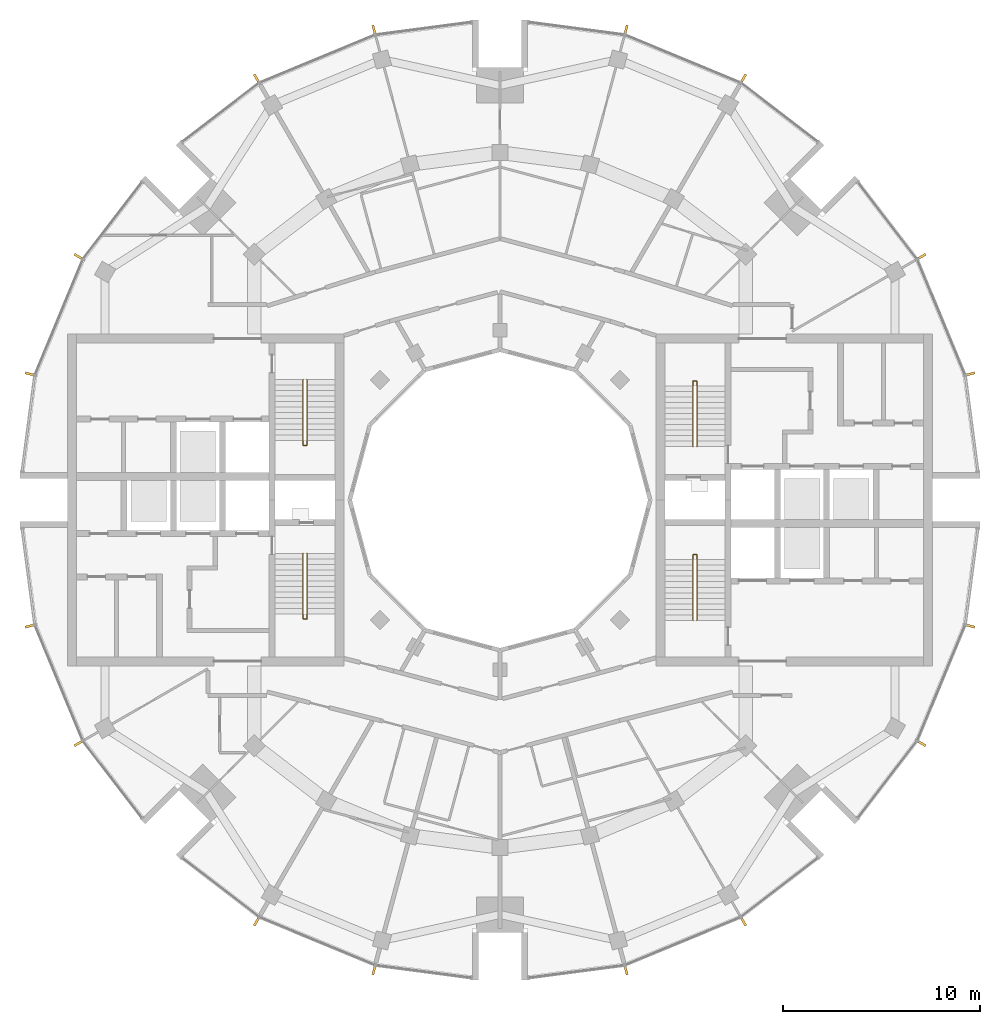
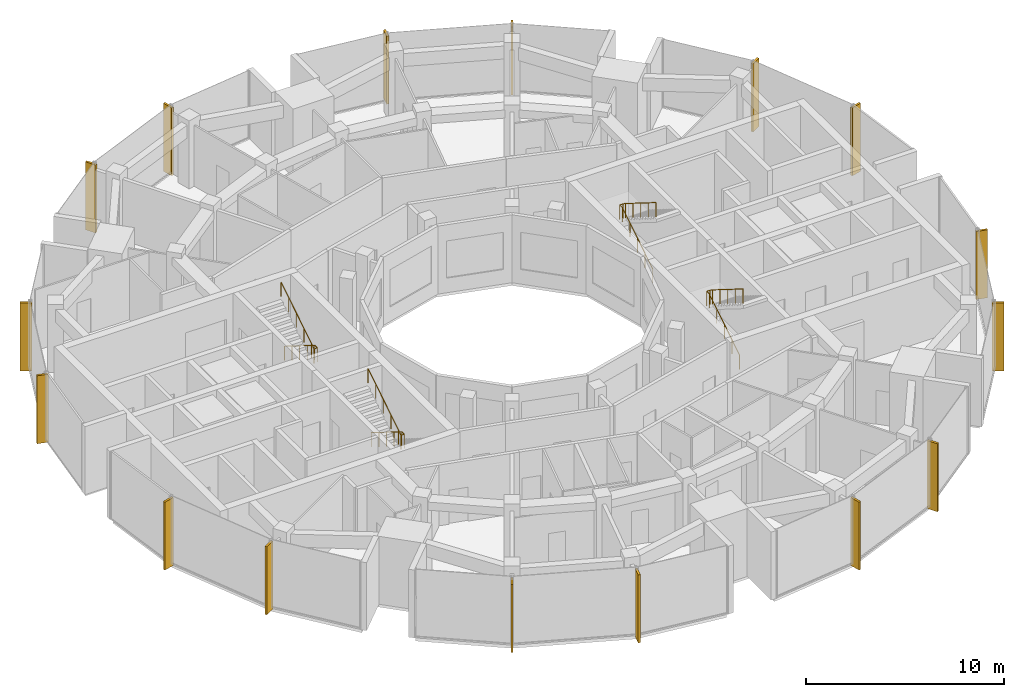
# One storey, part 14 of 15: 16 shading devices, 4 railings.
"""IFC4 building model written with IfcOpenShell, lengths in metres."""

from ifc_helpers import new_model, si_unit, direction, frame, origin, origin_2d, place, context, subcontext, project, spatial, rectangle, circle, extrude, material, material_profile, profile_set, type_object, element, save


model = new_model("IFC4")

# Units and contexts
model_context = context("Model", 3, precision=1e-05, world=origin(), true_north=direction((0.0, 1.0)))
body_context = subcontext(model_context, "Body", "Model", "MODEL_VIEW")
ifc_project = project(units=[si_unit("LENGTHUNIT", "METRE"), si_unit("AREAUNIT", "SQUARE_METRE"), si_unit("VOLUMEUNIT", "CUBIC_METRE"), si_unit("PLANEANGLEUNIT", "RADIAN"), si_unit("MASSUNIT", "GRAM", prefix="KILO")], contexts=[model_context])

# Site, building, storey
site_placement = place(None, origin())
site = spatial("IfcSite", under=ifc_project, at=site_placement, CompositionType="ELEMENT")
building_placement = place(site_placement, origin())
building = spatial("IfcBuilding", under=site, at=building_placement, Name="Torre Brocal", CompositionType="ELEMENT")
storey_placement = place(building_placement, frame((0.0, 0.0, 284.10009765625)))
storey = spatial("IfcBuildingStorey", under=building, at=storey_placement, Name="L65", CompositionType="ELEMENT", Elevation=284.10009765625)

# Shading devices
ifc_material_1 = material(Name="Aluminium, black anodised", Category="aluminium")
ifc_material_profile = material_profile(ifc_material_1, rectangle(XDim=0.1201171875, YDim=0.60009765625, at=origin_2d()), Name="FIN 120X600 4200 HIGH")
ifc_profile_set = profile_set([ifc_material_profile], Name="Aluminium, black anodised")
shading_device_type = type_object("IfcShadingDeviceType", Name="FIN 120X600 4200 HIGH", PredefinedType="USERDEFINED", material=ifc_profile_set)
for number, where, z_axis, x_axis, name in (
    (1, (103.760009765625, 81.366455078125, -0.150146484375), (0.0, 0.0, 1.0), (-0.258819045103, 0.965925826289, 0.0), "FIN"),
    (2, (101.302734375, 87.299072265625, -0.150146484375), (0.0, 0.0, 1.0), (-0.5, 0.866025403784, 0.0), "FIN"),
    (3, (92.299072265625, 96.302734375, -0.150146484375), (0.0, 0.0, 1.0), (-0.866025403784, 0.5, 0.0), "FIN"),
    (4, (86.366455078125, 98.760009765625, -0.150146484375), (0.0, 0.0, 1.0), (-0.965925826289, 0.258819045103, 0.0), "FIN"),
    (5, (73.633544921875, 98.760009765625, -0.150146484375), (0.0, 0.0, 1.0), (-0.965925826289, -0.258819045103, 0.0), "FIN"),
    (6, (67.700927734375, 96.302734375, -0.150146484375), (0.0, 0.0, 1.0), (-0.866025403784, -0.5, 0.0), "FIN"),
    (7, (58.697265625, 87.299072265625, -0.150146484375), (0.0, 0.0, 1.0), (-0.5, -0.866025403784, 0.0), "FIN"),
    (8, (56.239990234375, 81.366455078125, -0.150146484375), (0.0, 0.0, 1.0), (-0.258819045103, -0.965925826289, 0.0), "FIN"),
    (9, (56.239990234375, 68.633544921875, -0.150146484375), (0.0, 0.0, 1.0), (0.258819045103, -0.965925826289, 0.0), "FIN"),
    (10, (58.697265625, 62.700927734375, -0.150146484375), (0.0, 0.0, 1.0), (0.5, -0.866025403784, 0.0), "FIN"),
    (11, (67.700927734375, 53.697265625, -0.150146484375), (0.0, 0.0, 1.0), (0.866025403784, -0.5, 0.0), "FIN"),
    (12, (73.633544921875, 51.239990234375, -0.150146484375), (0.0, 0.0, 1.0), (0.965925826289, -0.258819045103, 0.0), "FIN"),
    (13, (86.366455078125, 51.239990234375, -0.150146484375), (0.0, 0.0, 1.0), (0.965925826289, 0.258819045103, 0.0), "FIN"),
    (14, (92.299072265625, 53.697265625, -0.150146484375), (0.0, 0.0, 1.0), (0.866025403784, 0.5, 0.0), "FIN"),
    (15, (101.302734375, 62.700927734375, -0.150146484375), (0.0, 0.0, 1.0), (0.5, 0.866025403784, 0.0), "FIN"),
    (16, (103.760009765625, 68.633544921875, -0.150146484375), (0.0, 0.0, 1.0), (0.258819045103, 0.965925826289, 0.0), "FIN"),
):
    element("IfcShadingDevice", number, at=place(storey_placement, frame(where, z_axis=z_axis, x_axis=x_axis)), inside=storey, type_object=shading_device_type, Name=name, ObjectType="FIN", PredefinedType="USERDEFINED", context=body_context, shape_type="SweptSolid", body=[
        extrude(rectangle(XDim=0.1201171875, YDim=0.60009765625, at=origin_2d()), origin(), (0.0, 0.0, 1.0), 4.199951171875),
    ])

# Railings
ifc_material_2 = material(Name="Stainless steel AISI 316", Category="steel")
railing_type = type_object("IfcRailingType", Name="STAIR HANDRAIL", PredefinedType="HANDRAIL", material=ifc_material_2)
railing_1_placement = place(storey_placement, frame((89.780029296875, 77.699951171875, 0.1748046875)))
element("IfcRailing", 17, at=railing_1_placement, inside=storey, type_object=railing_type, Name="HANDRAIL ST1", PredefinedType="HANDRAIL", context=body_context, shape_type="SweptSolid", body=[
    extrude(circle(Radius=0.02392578125, at=origin_2d()), frame((0.0, 0.0, 0.8759765625), z_axis=(0.0, 0.847998304005, 0.529998940003), x_axis=(-1.0, 0.0, 0.0)), (0.0, 0.0, 1.0), 3.632080078125),
    extrude(circle(Radius=0.02392578125, at=origin_2d()), frame((0.0, 3.080078125, 2.80078125), z_axis=(0.0, 1.0, 0.0), x_axis=(-1.0, 0.0, 0.0)), (0.0, 0.0, 1.0), 0.25),
    extrude(circle(Radius=0.02392578125, at=origin_2d()), frame((0.0, 3.330078125, 2.80078125), z_axis=(1.0, 0.0, 0.0), x_axis=(0.0, 1.0, 0.0)), (0.0, 0.0, 1.0), 0.18994140625),
    extrude(circle(Radius=0.02392578125, at=origin_2d()), frame((0.18994140625, 3.330078125, 2.80078125), z_axis=(0.0, -0.819156749665, 0.573569716318), x_axis=(1.0, 0.0, 0.0)), (0.0, 0.0, 1.0), 0.30517578125),
    extrude(circle(Radius=0.02392578125, at=origin_2d()), frame((0.18994140625, 3.080078125, 2.97607421875), z_axis=(0.0, -0.847998304005, 0.529998940003), x_axis=(1.0, 0.0, 0.0)), (0.0, 0.0, 1.0), 3.632080078125),
    extrude(circle(Radius=0.02099609375, at=origin_2d()), origin(), (0.0, 0.0, 1.0), 0.851806640625),
    extrude(circle(Radius=0.02099609375, at=origin_2d()), frame((0.0, 0.77001953125, 0.481201171875)), (0.0, 0.0, 1.0), 0.851806640625),
    extrude(circle(Radius=0.02099609375, at=origin_2d()), frame((0.0, 1.5400390625, 0.96240234375)), (0.0, 0.0, 1.0), 0.851806640625),
    extrude(circle(Radius=0.02099609375, at=origin_2d()), frame((0.0, 2.31005859375, 1.44384765625)), (0.0, 0.0, 1.0), 0.851806640625),
    extrude(circle(Radius=0.02099609375, at=origin_2d()), frame((0.0, 3.080078125, 1.925048828125)), (0.0, 0.0, 1.0), 0.851806640625),
    extrude(circle(Radius=0.02099609375, at=origin_2d()), frame((0.0, 3.330078125, 1.925048828125)), (0.0, 0.0, 1.0), 0.851806640625),
    extrude(circle(Radius=0.02099609375, at=origin_2d()), frame((0.18994140625, 3.330078125, 1.925048828125)), (0.0, 0.0, 1.0), 0.851806640625),
    extrude(circle(Radius=0.02099609375, at=origin_2d()), frame((0.18994140625, 3.080078125, 2.10009765625)), (0.0, 0.0, 1.0), 0.851806640625),
    extrude(circle(Radius=0.02099609375, at=origin_2d()), frame((0.18994140625, 2.31005859375, 2.581298828125)), (0.0, 0.0, 1.0), 0.851806640625),
    extrude(circle(Radius=0.02099609375, at=origin_2d()), frame((0.18994140625, 1.5400390625, 3.0625)), (0.0, 0.0, 1.0), 0.851806640625),
    extrude(circle(Radius=0.02099609375, at=origin_2d()), frame((0.18994140625, 0.77001953125, 3.5439453125)), (0.0, 0.0, 1.0), 0.851806640625),
    extrude(circle(Radius=0.02099609375, at=origin_2d()), frame((0.18994140625, 0.0, 4.025146484375)), (0.0, 0.0, 1.0), 0.851806640625),
])
railing_2_placement = place(storey_placement, frame((89.780029296875, 68.89990234375, 0.1748046875)))
element("IfcRailing", 18, at=railing_2_placement, inside=storey, type_object=railing_type, Name="HANDRAIL ST2", PredefinedType="HANDRAIL", context=body_context, shape_type="SweptSolid", body=[
    extrude(circle(Radius=0.02392578125, at=origin_2d()), frame((0.0, 0.0, 0.8759765625), z_axis=(0.0, 0.847998304005, 0.529998940003), x_axis=(-1.0, 0.0, 0.0)), (0.0, 0.0, 1.0), 3.632080078125),
    extrude(circle(Radius=0.02392578125, at=origin_2d()), frame((0.0, 3.080078125, 2.80078125), z_axis=(0.0, 1.0, 0.0), x_axis=(-1.0, 0.0, 0.0)), (0.0, 0.0, 1.0), 0.25),
    extrude(circle(Radius=0.02392578125, at=origin_2d()), frame((0.0, 3.330078125, 2.80078125), z_axis=(1.0, 0.0, 0.0), x_axis=(0.0, 1.0, 0.0)), (0.0, 0.0, 1.0), 0.18994140625),
    extrude(circle(Radius=0.02392578125, at=origin_2d()), frame((0.18994140625, 3.330078125, 2.80078125), z_axis=(0.0, -0.819156749665, 0.573569716318), x_axis=(1.0, 0.0, 0.0)), (0.0, 0.0, 1.0), 0.30517578125),
    extrude(circle(Radius=0.02392578125, at=origin_2d()), frame((0.18994140625, 3.080078125, 2.97607421875), z_axis=(0.0, -0.847998304005, 0.529998940003), x_axis=(1.0, 0.0, 0.0)), (0.0, 0.0, 1.0), 3.632080078125),
    extrude(circle(Radius=0.02099609375, at=origin_2d()), origin(), (0.0, 0.0, 1.0), 0.851806640625),
    extrude(circle(Radius=0.02099609375, at=origin_2d()), frame((0.0, 0.77001953125, 0.481201171875)), (0.0, 0.0, 1.0), 0.851806640625),
    extrude(circle(Radius=0.02099609375, at=origin_2d()), frame((0.0, 1.5400390625, 0.96240234375)), (0.0, 0.0, 1.0), 0.851806640625),
    extrude(circle(Radius=0.02099609375, at=origin_2d()), frame((0.0, 2.31005859375, 1.44384765625)), (0.0, 0.0, 1.0), 0.851806640625),
    extrude(circle(Radius=0.02099609375, at=origin_2d()), frame((0.0, 3.080078125, 1.925048828125)), (0.0, 0.0, 1.0), 0.851806640625),
    extrude(circle(Radius=0.02099609375, at=origin_2d()), frame((0.0, 3.330078125, 1.925048828125)), (0.0, 0.0, 1.0), 0.851806640625),
    extrude(circle(Radius=0.02099609375, at=origin_2d()), frame((0.18994140625, 3.330078125, 1.925048828125)), (0.0, 0.0, 1.0), 0.851806640625),
    extrude(circle(Radius=0.02099609375, at=origin_2d()), frame((0.18994140625, 3.080078125, 2.10009765625)), (0.0, 0.0, 1.0), 0.851806640625),
    extrude(circle(Radius=0.02099609375, at=origin_2d()), frame((0.18994140625, 2.31005859375, 2.581298828125)), (0.0, 0.0, 1.0), 0.851806640625),
    extrude(circle(Radius=0.02099609375, at=origin_2d()), frame((0.18994140625, 1.5400390625, 3.0625)), (0.0, 0.0, 1.0), 0.851806640625),
    extrude(circle(Radius=0.02099609375, at=origin_2d()), frame((0.18994140625, 0.77001953125, 3.5439453125)), (0.0, 0.0, 1.0), 0.851806640625),
    extrude(circle(Radius=0.02099609375, at=origin_2d()), frame((0.18994140625, 0.0, 4.025146484375)), (0.0, 0.0, 1.0), 0.851806640625),
])
railing_3_placement = place(storey_placement, frame((70.219970703125, 72.300048828125, 0.1748046875)))
element("IfcRailing", 19, at=railing_3_placement, inside=storey, type_object=railing_type, Name="HANDRAIL ST3", PredefinedType="HANDRAIL", context=body_context, shape_type="SweptSolid", body=[
    extrude(circle(Radius=0.02392578125, at=origin_2d()), frame((0.0, 0.0, 0.8759765625), z_axis=(0.0, -0.847998304005, 0.529998940003), x_axis=(1.0, 0.0, 0.0)), (0.0, 0.0, 1.0), 3.632080078125),
    extrude(circle(Radius=0.02392578125, at=origin_2d()), frame((0.0, -3.080078125, 2.80078125), z_axis=(0.0, -1.0, 0.0), x_axis=(1.0, 0.0, 0.0)), (0.0, 0.0, 1.0), 0.25),
    extrude(circle(Radius=0.02392578125, at=origin_2d()), frame((0.0, -3.330078125, 2.80078125), z_axis=(-1.0, 0.0, 0.0), x_axis=(0.0, -1.0, 0.0)), (0.0, 0.0, 1.0), 0.18994140625),
    extrude(circle(Radius=0.02392578125, at=origin_2d()), frame((-0.18994140625, -3.330078125, 2.80078125), z_axis=(0.0, 0.819156749665, 0.573569716318), x_axis=(-1.0, 0.0, 0.0)), (0.0, 0.0, 1.0), 0.30517578125),
    extrude(circle(Radius=0.02392578125, at=origin_2d()), frame((-0.18994140625, -3.080078125, 2.97607421875), z_axis=(0.0, 0.847998304005, 0.529998940003), x_axis=(-1.0, 0.0, 0.0)), (0.0, 0.0, 1.0), 3.632080078125),
    extrude(circle(Radius=0.02099609375, at=origin_2d()), origin(), (0.0, 0.0, 1.0), 0.851806640625),
    extrude(circle(Radius=0.02099609375, at=origin_2d()), frame((0.0, -0.77001953125, 0.481201171875)), (0.0, 0.0, 1.0), 0.851806640625),
    extrude(circle(Radius=0.02099609375, at=origin_2d()), frame((0.0, -1.5400390625, 0.96240234375)), (0.0, 0.0, 1.0), 0.851806640625),
    extrude(circle(Radius=0.02099609375, at=origin_2d()), frame((0.0, -2.31005859375, 1.44384765625)), (0.0, 0.0, 1.0), 0.851806640625),
    extrude(circle(Radius=0.02099609375, at=origin_2d()), frame((0.0, -3.080078125, 1.925048828125)), (0.0, 0.0, 1.0), 0.851806640625),
    extrude(circle(Radius=0.02099609375, at=origin_2d()), frame((0.0, -3.330078125, 1.925048828125)), (0.0, 0.0, 1.0), 0.851806640625),
    extrude(circle(Radius=0.02099609375, at=origin_2d()), frame((-0.18994140625, -3.330078125, 1.925048828125)), (0.0, 0.0, 1.0), 0.851806640625),
    extrude(circle(Radius=0.02099609375, at=origin_2d()), frame((-0.18994140625, -3.080078125, 2.10009765625)), (0.0, 0.0, 1.0), 0.851806640625),
    extrude(circle(Radius=0.02099609375, at=origin_2d()), frame((-0.18994140625, -2.31005859375, 2.581298828125)), (0.0, 0.0, 1.0), 0.851806640625),
    extrude(circle(Radius=0.02099609375, at=origin_2d()), frame((-0.18994140625, -1.5400390625, 3.0625)), (0.0, 0.0, 1.0), 0.851806640625),
    extrude(circle(Radius=0.02099609375, at=origin_2d()), frame((-0.18994140625, -0.77001953125, 3.5439453125)), (0.0, 0.0, 1.0), 0.851806640625),
    extrude(circle(Radius=0.02099609375, at=origin_2d()), frame((-0.18994140625, 0.0, 4.025146484375)), (0.0, 0.0, 1.0), 0.851806640625),
])
railing_4_placement = place(storey_placement, frame((70.219970703125, 81.10009765625, 0.1748046875)))
element("IfcRailing", 20, at=railing_4_placement, inside=storey, type_object=railing_type, Name="HANDRAIL ST4", PredefinedType="HANDRAIL", context=body_context, shape_type="SweptSolid", body=[
    extrude(circle(Radius=0.02392578125, at=origin_2d()), frame((0.0, 0.0, 0.8759765625), z_axis=(0.0, -0.847998304005, 0.529998940003), x_axis=(1.0, 0.0, 0.0)), (0.0, 0.0, 1.0), 3.632080078125),
    extrude(circle(Radius=0.02392578125, at=origin_2d()), frame((0.0, -3.080078125, 2.80078125), z_axis=(0.0, -1.0, 0.0), x_axis=(1.0, 0.0, 0.0)), (0.0, 0.0, 1.0), 0.25),
    extrude(circle(Radius=0.02392578125, at=origin_2d()), frame((0.0, -3.330078125, 2.80078125), z_axis=(-1.0, 0.0, 0.0), x_axis=(0.0, -1.0, 0.0)), (0.0, 0.0, 1.0), 0.18994140625),
    extrude(circle(Radius=0.02392578125, at=origin_2d()), frame((-0.18994140625, -3.330078125, 2.80078125), z_axis=(0.0, 0.819156749665, 0.573569716318), x_axis=(-1.0, 0.0, 0.0)), (0.0, 0.0, 1.0), 0.30517578125),
    extrude(circle(Radius=0.02392578125, at=origin_2d()), frame((-0.18994140625, -3.080078125, 2.97607421875), z_axis=(0.0, 0.847998304005, 0.529998940003), x_axis=(-1.0, 0.0, 0.0)), (0.0, 0.0, 1.0), 3.632080078125),
    extrude(circle(Radius=0.02099609375, at=origin_2d()), origin(), (0.0, 0.0, 1.0), 0.851806640625),
    extrude(circle(Radius=0.02099609375, at=origin_2d()), frame((0.0, -0.77001953125, 0.481201171875)), (0.0, 0.0, 1.0), 0.851806640625),
    extrude(circle(Radius=0.02099609375, at=origin_2d()), frame((0.0, -1.5400390625, 0.96240234375)), (0.0, 0.0, 1.0), 0.851806640625),
    extrude(circle(Radius=0.02099609375, at=origin_2d()), frame((0.0, -2.31005859375, 1.44384765625)), (0.0, 0.0, 1.0), 0.851806640625),
    extrude(circle(Radius=0.02099609375, at=origin_2d()), frame((0.0, -3.080078125, 1.925048828125)), (0.0, 0.0, 1.0), 0.851806640625),
    extrude(circle(Radius=0.02099609375, at=origin_2d()), frame((0.0, -3.330078125, 1.925048828125)), (0.0, 0.0, 1.0), 0.851806640625),
    extrude(circle(Radius=0.02099609375, at=origin_2d()), frame((-0.18994140625, -3.330078125, 1.925048828125)), (0.0, 0.0, 1.0), 0.851806640625),
    extrude(circle(Radius=0.02099609375, at=origin_2d()), frame((-0.18994140625, -3.080078125, 2.10009765625)), (0.0, 0.0, 1.0), 0.851806640625),
    extrude(circle(Radius=0.02099609375, at=origin_2d()), frame((-0.18994140625, -2.31005859375, 2.581298828125)), (0.0, 0.0, 1.0), 0.851806640625),
    extrude(circle(Radius=0.02099609375, at=origin_2d()), frame((-0.18994140625, -1.5400390625, 3.0625)), (0.0, 0.0, 1.0), 0.851806640625),
    extrude(circle(Radius=0.02099609375, at=origin_2d()), frame((-0.18994140625, -0.77001953125, 3.5439453125)), (0.0, 0.0, 1.0), 0.851806640625),
    extrude(circle(Radius=0.02099609375, at=origin_2d()), frame((-0.18994140625, 0.0, 4.025146484375)), (0.0, 0.0, 1.0), 0.851806640625),
])

save(model, "model.ifc")
